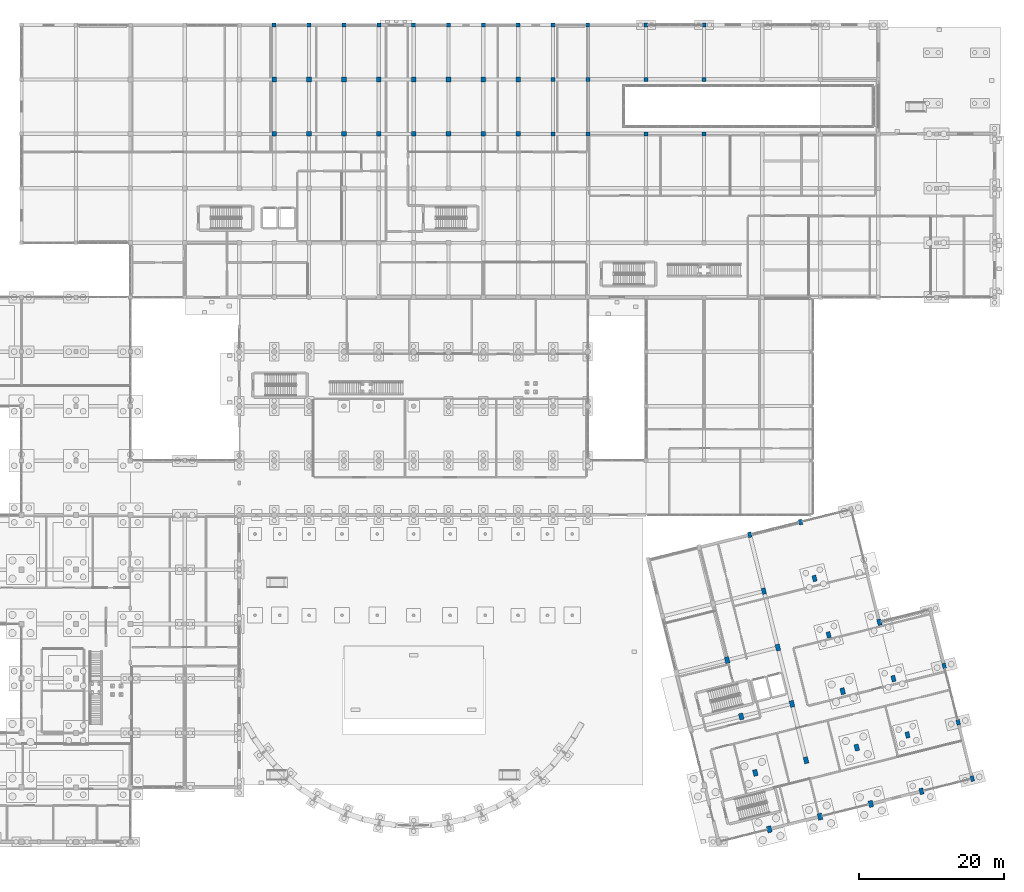
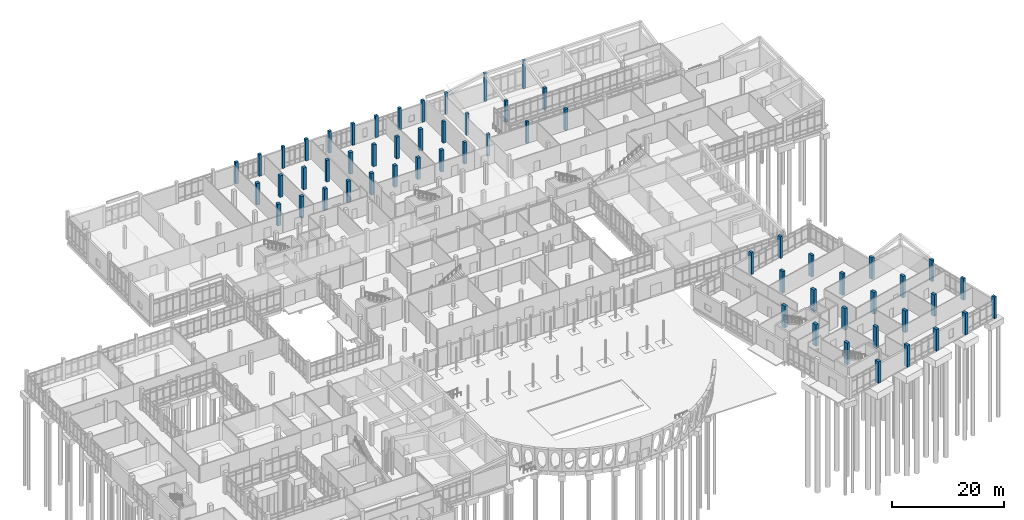
# One storey, part 20 of 173: 59 columns.
"""IFC4 building model written with IfcOpenShell, lengths in metres."""

from ifc_helpers import new_model, si_unit, direction, frame, origin, origin_2d, place, context, subcontext, project, spatial, rectangle, extrude, material, material_profile, profile_set, type_object, element, save


model = new_model("IFC4")

# Units and contexts
model_context = context("Model", 3, precision=1e-05, world=origin(), true_north=direction((0.0, 1.0)))
body_context = subcontext(model_context, "Body", "Model", "MODEL_VIEW")
ifc_project = project(units=[si_unit("LENGTHUNIT", "METRE"), si_unit("AREAUNIT", "SQUARE_METRE"), si_unit("VOLUMEUNIT", "CUBIC_METRE"), si_unit("PLANEANGLEUNIT", "RADIAN"), si_unit("MASSUNIT", "GRAM", prefix="KILO")], contexts=[model_context])

# Site, building, storey
site_placement = place(None, origin())
site = spatial("IfcSite", under=ifc_project, at=site_placement, CompositionType="ELEMENT")
building_placement = place(site_placement, origin())
building = spatial("IfcBuilding", under=site, at=building_placement, Name="Mawjan Specialist Oncology Clinic", CompositionType="ELEMENT")
storey_placement = place(building_placement, origin())
storey = spatial("IfcBuildingStorey", under=building, at=storey_placement, Name="L00", CompositionType="ELEMENT", Elevation=0.0)

# Columns
ifc_material_1 = material(Name="Concrete C45/55", Category="concrete")
ifc_material_profile_1 = material_profile(ifc_material_1, rectangle(XDim=0.5, YDim=0.5, at=origin_2d()), Name="RC COL 500x500", Category="concrete")
ifc_profile_set_1 = profile_set([ifc_material_profile_1], Name="Concrete C45/55")
column_type_1 = type_object("IfcColumnType", Name="C-500", PredefinedType="COLUMN", material=ifc_profile_set_1)
column_placement = place(storey_placement, frame((108.0, 113.300048828125, 0.0), z_axis=(0.0, 0.0, 1.0), x_axis=(1.0, 0.0, 0.0)))
element("IfcColumn", 1, at=column_placement, inside=storey, type_object=column_type_1, Name="L00 Column G-19-R", PredefinedType="COLUMN", context=body_context, shape_type="SweptSolid", body=[
    extrude(rectangle(XDim=0.5, YDim=0.5, at=origin_2d()), origin(), (0.0, 0.0, 1.0), 4.699951171875),
])
for number, where, z_axis, x_axis, name in (
    (2, (116.0, 113.300048828125, 0.0), (0.0, 0.0, 1.0), (1.0, 0.0, 0.0), "L00 Column G-20-R"),
    (3, (124.0, 113.300048828125, 0.0), (0.0, 0.0, 1.0), (1.0, 0.0, 0.0), "L00 Column G-21-R"),
):
    element("IfcColumn", number, at=place(storey_placement, frame(where, z_axis=z_axis, x_axis=x_axis)), inside=storey, type_object=column_type_1, Name=name, PredefinedType="COLUMN", context=body_context, shape_type="SweptSolid", body=[
        extrude(rectangle(XDim=0.5, YDim=0.5, at=origin_2d()), origin(), (0.0, 0.0, 1.0), 6.135986328125),
    ])
ifc_material_2 = material(Name="Concrete C45/55", Category="concrete")
ifc_material_profile_2 = material_profile(ifc_material_2, rectangle(XDim=0.5, YDim=0.75, at=origin_2d()), Name="RC COL 500x750", Category="concrete")
ifc_profile_set_2 = profile_set([ifc_material_profile_2], Name="Concrete C45/55")
column_type_2 = type_object("IfcColumnType", Name="C-500x750", PredefinedType="COLUMN", material=ifc_profile_set_2)
for number, where, z_axis, x_axis, name in (
    (4, (130.29541015625, 43.095458984375, 0.0), (0.0, 0.0, 1.0), (0.970295726276, 0.2419218956, 0.0), "L00 Column R-RC-R6"),
    (5, (137.281494140625, 44.83740234375, 0.0), (0.0, 0.0, 1.0), (0.970295726276, 0.2419218956, 0.0), "L00 Column R-RD-R6"),
    (6, (160.9306640625, 9.50927734375, 0.0), (0.0, 0.0, 1.0), (0.970295726276, 0.2419218956, 0.0), "L00 Column R-RF-R1"),
    (7, (158.995361328125, 17.271484375, 0.0), (0.0, 0.0, 1.0), (0.970295726276, 0.2419218956, 0.0), "L00 Column R-RF-R2"),
    (8, (157.059814453125, 25.033935546875, 0.0), (0.0, 0.0, 1.0), (0.970295726276, 0.2419218956, 0.0), "L00 Column R-RF-R3"),
):
    element("IfcColumn", number, at=place(storey_placement, frame(where, z_axis=z_axis, x_axis=x_axis)), inside=storey, type_object=column_type_2, Name=name, PredefinedType="COLUMN", context=body_context, shape_type="SweptSolid", body=[
        extrude(rectangle(XDim=0.5, YDim=0.75, at=origin_2d()), origin(), (0.0, 0.0, 1.0), 4.699951171875),
    ])
ifc_material_3 = material(Name="Concrete C45/55", Category="concrete")
ifc_material_profile_3 = material_profile(ifc_material_3, rectangle(XDim=0.550048828125, YDim=0.550048828125, at=origin_2d()), Name="RC COL 550x550", Category="concrete")
ifc_profile_set_3 = profile_set([ifc_material_profile_3], Name="Concrete C45/55")
column_type_3 = type_object("IfcColumnType", Name="C-550", PredefinedType="COLUMN", material=ifc_profile_set_3)
for number, where, z_axis, x_axis, name in (
    (9, (64.800048828125, 113.300048828125, 0.0), (0.0, 0.0, 1.0), (1.0, 0.0, 0.0), "L00 Column G-10-R"),
    (10, (69.60009765625, 113.300048828125, 0.0), (0.0, 0.0, 1.0), (1.0, 0.0, 0.0), "L00 Column G-11-R"),
    (11, (74.39990234375, 113.300048828125, 0.0), (0.0, 0.0, 1.0), (1.0, 0.0, 0.0), "L00 Column G-12-R"),
    (12, (79.199951171875, 113.300048828125, 0.0), (0.0, 0.0, 1.0), (1.0, 0.0, 0.0), "L00 Column G-13-R"),
    (13, (84.0, 113.300048828125, 0.0), (0.0, 0.0, 1.0), (1.0, 0.0, 0.0), "L00 Column G-14-R"),
    (14, (88.800048828125, 113.300048828125, 0.0), (0.0, 0.0, 1.0), (1.0, 0.0, 0.0), "L00 Column G-15-R"),
    (15, (93.60009765625, 113.300048828125, 0.0), (0.0, 0.0, 1.0), (1.0, 0.0, 0.0), "L00 Column G-16-R"),
    (16, (98.39990234375, 113.300048828125, 0.0), (0.0, 0.0, 1.0), (1.0, 0.0, 0.0), "L00 Column G-17-R"),
    (17, (103.199951171875, 98.300048828125, 0.0), (0.0, 0.0, 1.0), (1.0, 0.0, 0.0), "L00 Column G-18-P"),
    (18, (103.199951171875, 105.800048828125, 0.0), (0.0, 0.0, 1.0), (1.0, 0.0, 0.0), "L00 Column G-18-Q"),
    (19, (103.199951171875, 113.300048828125, 0.0), (0.0, 0.0, 1.0), (1.0, 0.0, 0.0), "L00 Column G-18-R"),
    (20, (108.0, 98.300048828125, 0.0), (0.0, 0.0, 1.0), (1.0, 0.0, 0.0), "L00 Column G-19-P"),
    (21, (108.0, 105.800048828125, 0.0), (0.0, 0.0, 1.0), (1.0, 0.0, 0.0), "L00 Column G-19-Q"),
    (22, (116.0, 98.300048828125, 0.0), (0.0, 0.0, 1.0), (1.0, 0.0, 0.0), "L00 Column G-20-P"),
    (23, (116.0, 105.800048828125, 0.0), (0.0, 0.0, 1.0), (1.0, 0.0, 0.0), "L00 Column G-20-Q"),
    (24, (124.0, 98.300048828125, 0.0), (0.0, 0.0, 1.0), (1.0, 0.0, 0.0), "L00 Column G-21-P"),
    (25, (124.0, 105.800048828125, 0.0), (0.0, 0.0, 1.0), (1.0, 0.0, 0.0), "L00 Column G-21-Q"),
):
    element("IfcColumn", number, at=place(storey_placement, frame(where, z_axis=z_axis, x_axis=x_axis)), inside=storey, type_object=column_type_3, Name=name, PredefinedType="COLUMN", context=body_context, shape_type="SweptSolid", body=[
        extrude(rectangle(XDim=0.550048828125, YDim=0.550048828125, at=origin_2d()), origin(), (0.0, 0.0, 1.0), 4.699951171875),
    ])
ifc_material_4 = material(Name="Concrete C45/55", Category="concrete")
ifc_material_profile_4 = material_profile(ifc_material_4, rectangle(XDim=0.550048828125, YDim=0.85009765625, at=origin_2d()), Name="RC COL 550x850", Category="concrete")
ifc_profile_set_4 = profile_set([ifc_material_profile_4], Name="Concrete C45/55")
column_type_4 = type_object("IfcColumnType", Name="C-550x850", PredefinedType="COLUMN", material=ifc_profile_set_4)
for number, where, z_axis, x_axis, name in (
    (26, (132.230712890625, 35.333251953125, 0.0), (0.0, 0.0, 1.0), (0.970295726276, 0.2419218956, 0.0), "L00 Column R-RC-R5"),
    (27, (141.15234375, 29.3125, 0.0), (0.0, 0.0, 1.0), (0.970295726276, 0.2419218956, 0.0), "L00 Column R-RD-R4"),
    (28, (139.216796875, 37.074951171875, 0.0), (0.0, 0.0, 1.0), (0.970295726276, 0.2419218956, 0.0), "L00 Column R-RD-R5"),
    (29, (153.944580078125, 7.767333984375, 0.0), (0.0, 0.0, 1.0), (0.970295726276, 0.2419218956, 0.0), "L00 Column R-RE-R1"),
    (30, (152.009033203125, 15.52978515625, 0.0), (0.0, 0.0, 1.0), (0.970295726276, 0.2419218956, 0.0), "L00 Column R-RE-R2"),
    (31, (150.07373046875, 23.2919921875, 0.0), (0.0, 0.0, 1.0), (0.970295726276, 0.2419218956, 0.0), "L00 Column R-RE-R3"),
    (32, (148.138427734375, 31.054443359375, 0.0), (0.0, 0.0, 1.0), (0.970295726276, 0.2419218956, 0.0), "L00 Column R-RE-R4"),
):
    element("IfcColumn", number, at=place(storey_placement, frame(where, z_axis=z_axis, x_axis=x_axis)), inside=storey, type_object=column_type_4, Name=name, PredefinedType="COLUMN", context=body_context, shape_type="SweptSolid", body=[
        extrude(rectangle(XDim=0.550048828125, YDim=0.85009765625, at=origin_2d()), origin(), (0.0, 0.0, 1.0), 4.699951171875),
    ])
ifc_material_5 = material(Name="Concrete C45/55", Category="concrete")
ifc_material_profile_5 = material_profile(ifc_material_5, rectangle(XDim=0.60009765625, YDim=0.89990234375, at=origin_2d()), Name="RC COL 600x900", Category="concrete")
ifc_profile_set_5 = profile_set([ifc_material_profile_5], Name="Concrete C45/55")
column_type_5 = type_object("IfcColumnType", Name="C-600x900", PredefinedType="COLUMN", material=ifc_profile_set_5)
for number, where, z_axis, x_axis, name in (
    (33, (132.986083984375, 2.541748046875, 0.0), (0.0, 0.0, 1.0), (0.970295726276, 0.2419218956, 0.0), "L00 Column R-RB-R1"),
    (34, (131.05078125, 10.30419921875, 0.0), (0.0, 0.0, 1.0), (0.970295726276, 0.2419218956, 0.0), "L00 Column R-RB-R2"),
    (35, (129.115478515625, 18.066650390625, 0.0), (0.0, 0.0, 1.0), (0.970295726276, 0.2419218956, 0.0), "L00 Column R-RB-R3"),
    (36, (127.179931640625, 25.828857421875, 0.0), (0.0, 0.0, 1.0), (0.970295726276, 0.2419218956, 0.0), "L00 Column R-RB-R4"),
    (37, (139.97216796875, 4.28369140625, 0.0), (0.0, 0.0, 1.0), (0.970295726276, 0.2419218956, 0.0), "L00 Column R-RC-R1"),
    (38, (138.036865234375, 12.046142578125, 0.0), (0.0, 0.0, 1.0), (0.970295726276, 0.2419218956, 0.0), "L00 Column R-RC-R2"),
    (39, (136.1015625, 19.808349609375, 0.0), (0.0, 0.0, 1.0), (0.970295726276, 0.2419218956, 0.0), "L00 Column R-RC-R3"),
    (40, (134.166015625, 27.57080078125, 0.0), (0.0, 0.0, 1.0), (0.970295726276, 0.2419218956, 0.0), "L00 Column R-RC-R4"),
    (41, (146.95849609375, 6.025634765625, 0.0), (0.0, 0.0, 1.0), (0.970295726276, 0.2419218956, 0.0), "L00 Column R-RD-R1"),
    (42, (145.02294921875, 13.787841796875, 0.0), (0.0, 0.0, 1.0), (0.970295726276, 0.2419218956, 0.0), "L00 Column R-RD-R2"),
    (43, (143.087646484375, 21.55029296875, 0.0), (0.0, 0.0, 1.0), (0.970295726276, 0.2419218956, 0.0), "L00 Column R-RD-R3"),
):
    element("IfcColumn", number, at=place(storey_placement, frame(where, z_axis=z_axis, x_axis=x_axis)), inside=storey, type_object=column_type_5, Name=name, PredefinedType="COLUMN", context=body_context, shape_type="SweptSolid", body=[
        extrude(rectangle(XDim=0.60009765625, YDim=0.89990234375, at=origin_2d()), origin(), (0.0, 0.0, 1.0), 4.699951171875),
    ])
ifc_material_6 = material(Name="Concrete C45/55", Category="concrete")
ifc_material_profile_6 = material_profile(ifc_material_6, rectangle(XDim=0.64990234375, YDim=0.64990234375, at=origin_2d()), Name="RC COL 650x650", Category="concrete")
ifc_profile_set_6 = profile_set([ifc_material_profile_6], Name="Concrete C45/55")
column_type_6 = type_object("IfcColumnType", Name="C-650", PredefinedType="COLUMN", material=ifc_profile_set_6)
for number, where, z_axis, x_axis, name in (
    (44, (64.800048828125, 98.300048828125, 0.0), (0.0, 0.0, 1.0), (1.0, 0.0, 0.0), "L00 Column G-10-P"),
    (45, (64.800048828125, 105.800048828125, 0.0), (0.0, 0.0, 1.0), (1.0, 0.0, 0.0), "L00 Column G-10-Q"),
    (46, (69.60009765625, 98.300048828125, 0.0), (0.0, 0.0, 1.0), (1.0, 0.0, 0.0), "L00 Column G-11-P"),
    (47, (69.60009765625, 105.800048828125, 0.0), (0.0, 0.0, 1.0), (1.0, 0.0, 0.0), "L00 Column G-11-Q"),
    (48, (74.39990234375, 98.300048828125, 0.0), (0.0, 0.0, 1.0), (1.0, 0.0, 0.0), "L00 Column G-12-P"),
    (49, (74.39990234375, 105.800048828125, 0.0), (0.0, 0.0, 1.0), (1.0, 0.0, 0.0), "L00 Column G-12-Q"),
    (50, (79.199951171875, 98.300048828125, 0.0), (0.0, 0.0, 1.0), (1.0, 0.0, 0.0), "L00 Column G-13-P"),
    (51, (79.199951171875, 105.800048828125, 0.0), (0.0, 0.0, 1.0), (1.0, 0.0, 0.0), "L00 Column G-13-Q"),
    (52, (84.0, 98.300048828125, 0.0), (0.0, 0.0, 1.0), (1.0, 0.0, 0.0), "L00 Column G-14-P"),
    (53, (84.0, 105.800048828125, 0.0), (0.0, 0.0, 1.0), (1.0, 0.0, 0.0), "L00 Column G-14-Q"),
    (54, (88.800048828125, 98.300048828125, 0.0), (0.0, 0.0, 1.0), (1.0, 0.0, 0.0), "L00 Column G-15-P"),
    (55, (88.800048828125, 105.800048828125, 0.0), (0.0, 0.0, 1.0), (1.0, 0.0, 0.0), "L00 Column G-15-Q"),
    (56, (93.60009765625, 98.300048828125, 0.0), (0.0, 0.0, 1.0), (1.0, 0.0, 0.0), "L00 Column G-16-P"),
    (57, (93.60009765625, 105.800048828125, 0.0), (0.0, 0.0, 1.0), (1.0, 0.0, 0.0), "L00 Column G-16-Q"),
    (58, (98.39990234375, 98.300048828125, 0.0), (0.0, 0.0, 1.0), (1.0, 0.0, 0.0), "L00 Column G-17-P"),
    (59, (98.39990234375, 105.800048828125, 0.0), (0.0, 0.0, 1.0), (1.0, 0.0, 0.0), "L00 Column G-17-Q"),
):
    element("IfcColumn", number, at=place(storey_placement, frame(where, z_axis=z_axis, x_axis=x_axis)), inside=storey, type_object=column_type_6, Name=name, PredefinedType="COLUMN", context=body_context, shape_type="SweptSolid", body=[
        extrude(rectangle(XDim=0.64990234375, YDim=0.64990234375, at=origin_2d()), origin(), (0.0, 0.0, 1.0), 4.699951171875),
    ])

save(model, "model.ifc")
